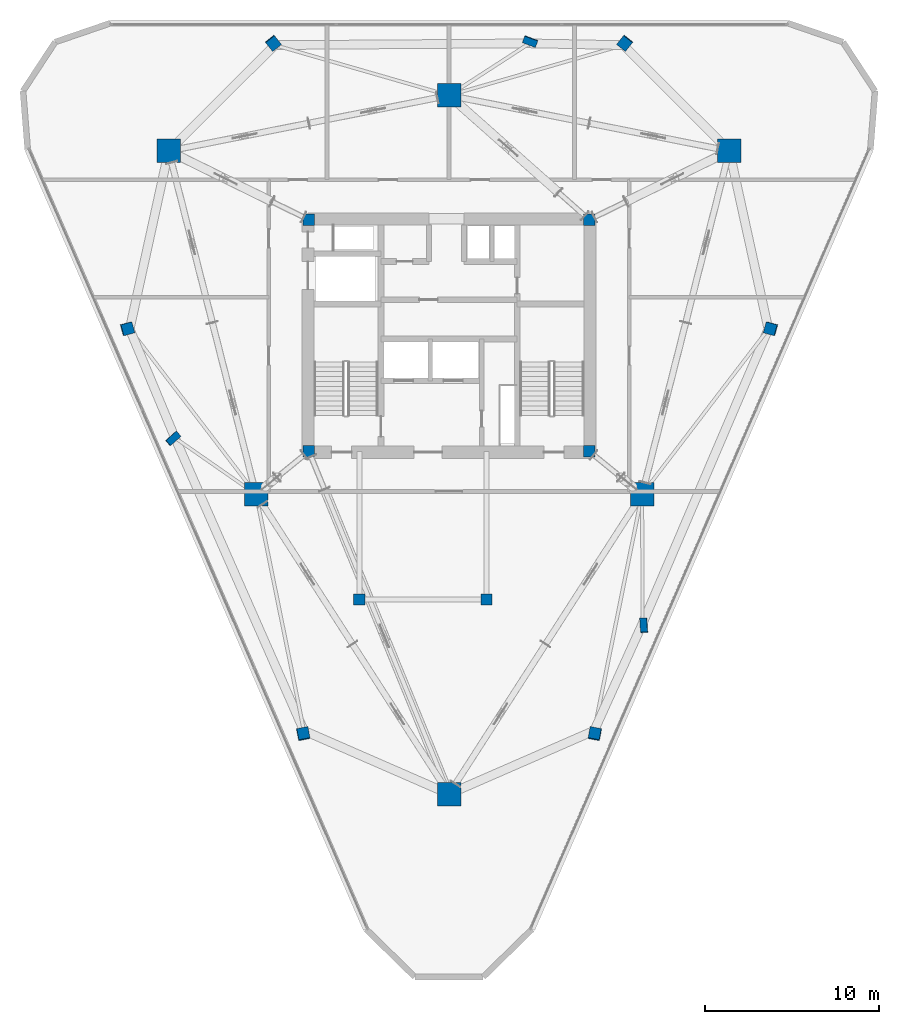
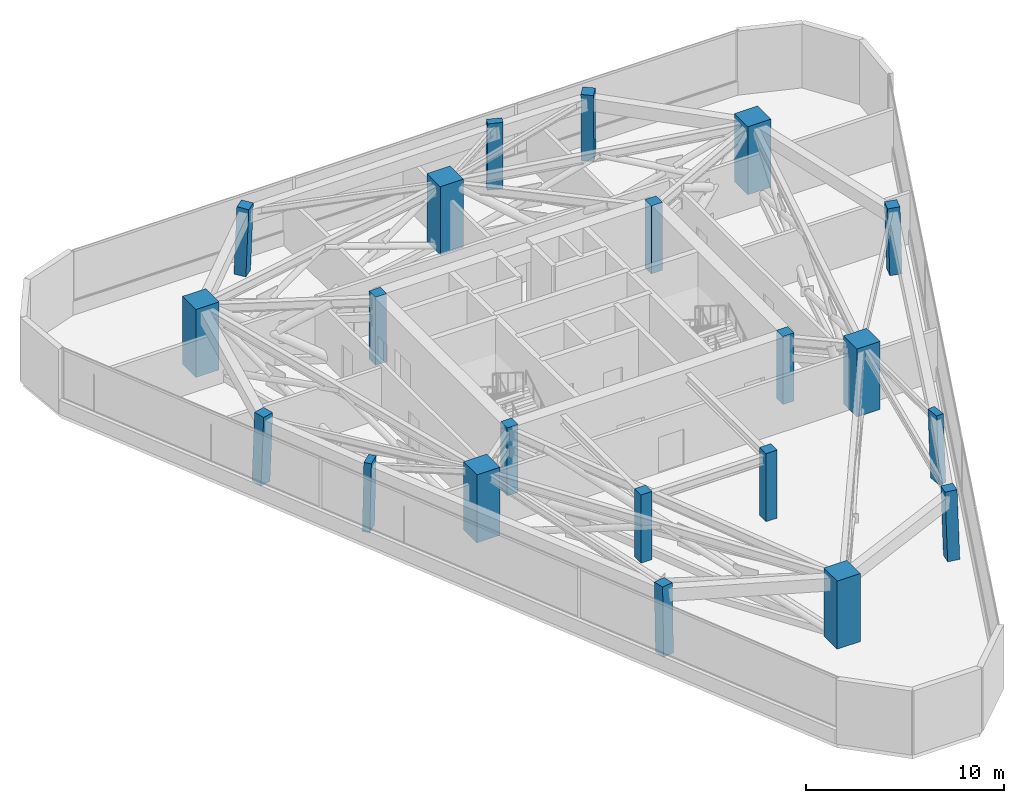
# One storey, part 1 of 12: 21 columns.
"""IFC4 building model written with IfcOpenShell, lengths in metres."""

from ifc_helpers import new_model, si_unit, direction, frame, origin, origin_2d, place, context, subcontext, project, spatial, rectangle, extrude, material, material_profile, profile_set, type_object, element, save


model = new_model("IFC4")

# Units and contexts
model_context = context("Model", 3, precision=1e-05, world=origin(), true_north=direction((0.0, 1.0)))
body_context = subcontext(model_context, "Body", "Model", "MODEL_VIEW")
ifc_project = project(units=[si_unit("LENGTHUNIT", "METRE"), si_unit("AREAUNIT", "SQUARE_METRE"), si_unit("VOLUMEUNIT", "CUBIC_METRE"), si_unit("PLANEANGLEUNIT", "RADIAN"), si_unit("MASSUNIT", "GRAM", prefix="KILO")], contexts=[model_context])

# Site, building, storey
site_placement = place(None, origin())
site = spatial("IfcSite", under=ifc_project, at=site_placement, CompositionType="ELEMENT")
building_placement = place(site_placement, origin())
building = spatial("IfcBuilding", under=site, at=building_placement, Name="Talyreon Biosciences Tower", CompositionType="ELEMENT")
storey_placement = place(building_placement, frame((0.0, 0.0, 227.39990234375)))
storey = spatial("IfcBuildingStorey", under=building, at=storey_placement, Name="L60", CompositionType="ELEMENT", Elevation=227.39990234375)

# Columns
ifc_material_1 = material(Name="Precast concrete C45/55", Category="concrete")
ifc_material_profile_1 = material_profile(ifc_material_1, rectangle(XDim=0.800048828125, YDim=0.39990234375, at=origin_2d()), Name="RC 800x400")
ifc_profile_set_1 = profile_set([ifc_material_profile_1], Name="Precast concrete C45/55")
column_type_1 = type_object("IfcColumnType", Name="FacadePilaster_800x400", PredefinedType="PILASTER", material=ifc_profile_set_1)
column_1_placement = place(storey_placement, frame((77.192138671875, 51.334716796875, 0.003173828125), z_axis=(-0.017044742667, 0.033333233953, 0.999298940389), x_axis=(0.062892262064, -0.997429235793, 0.034343601403)))
element("IfcColumn", 1, at=column_1_placement, inside=storey, type_object=column_type_1, Name="L60 Facade Pilaster PL-SE", PredefinedType="PILASTER", context=body_context, shape_type="SweptSolid", body=[
    extrude(rectangle(XDim=0.800048828125, YDim=0.39990234375, at=origin_2d()), origin(), (0.0, 0.0, 1.0), 4.19677734375),
])
column_2_placement = place(storey_placement, frame((70.664306640625, 84.901611328125, 0.003173828125), z_axis=(-0.010764387872, -0.029151126074, 0.999517053282), x_axis=(-0.9380871136, 0.346399433166, 0.0)))
element("IfcColumn", 2, at=column_2_placement, inside=storey, type_object=column_type_1, Name="L60 Facade Pilaster PL-N", PredefinedType="PILASTER", context=body_context, shape_type="SweptSolid", body=[
    extrude(rectangle(XDim=0.800048828125, YDim=0.39990234375, at=origin_2d()), origin(), (0.0, 0.0, 1.0), 4.19580078125),
])
column_3_placement = place(storey_placement, frame((50.1435546875, 62.082275390625, 0.003173828125), z_axis=(0.027814332176, 0.009252047732, 0.999570288943), x_axis=(0.744415420765, 0.667175108125, -0.026889708541)))
element("IfcColumn", 3, at=column_3_placement, inside=storey, type_object=column_type_1, Name="L60 Facade Pilaster PL-SW", PredefinedType="PILASTER", context=body_context, shape_type="SweptSolid", body=[
    extrude(rectangle(XDim=0.800048828125, YDim=0.39990234375, at=origin_2d()), origin(), (0.0, 0.0, 1.0), 4.195556640625),
])
ifc_material_2 = material(Name="Concrete C50/60", Category="concrete")
ifc_material_profile_2 = material_profile(ifc_material_2, rectangle(XDim=1.35009765625, YDim=1.35009765625, at=origin_2d()), Name="RC 1350x1350")
ifc_profile_set_2 = profile_set([ifc_material_profile_2], Name="Concrete C50/60")
column_type_2 = type_object("IfcColumnType", Name="MegaColumn_1350", PredefinedType="COLUMN", material=ifc_profile_set_2)
for number, where, z_axis, x_axis, name in (
    (4, (66.0, 41.6669921875, 0.0), (0.0, 0.0, 1.0), (1.0, 0.0, 0.0), "L60 Composite Mega-Column MC1"),
    (5, (82.102294921875, 78.5986328125, 0.0), (0.0, 0.0, 1.0), (1.0, 0.0, 0.0), "L60 Composite Mega-Column MC2"),
    (6, (49.897705078125, 78.5986328125, 0.0), (0.0, 0.0, 1.0), (1.0, 0.0, 0.0), "L60 Composite Mega-Column MC3"),
    (7, (77.086181640625, 58.88037109375, 0.0), (0.0, 0.0, 1.0), (1.0, 0.0, 0.0), "L60 Composite Mega-Column MC4"),
    (8, (66.0, 81.788818359375, 0.0), (0.0, 0.0, 1.0), (1.0, 0.0, 0.0), "L60 Composite Mega-Column MC5"),
    (9, (54.913818359375, 58.88037109375, 0.0), (0.0, 0.0, 1.0), (1.0, 0.0, 0.0), "L60 Composite Mega-Column MC6"),
):
    element("IfcColumn", number, at=place(storey_placement, frame(where, z_axis=z_axis, x_axis=x_axis)), inside=storey, type_object=column_type_2, Name=name, PredefinedType="COLUMN", context=body_context, shape_type="SweptSolid", body=[
        extrude(rectangle(XDim=1.35009765625, YDim=1.35009765625, at=origin_2d()), origin(), (0.0, 0.0, 1.0), 4.2001953125),
    ])
ifc_material_profile_3 = material_profile(ifc_material_2, rectangle(XDim=0.64990234375, YDim=0.64990234375, at=origin_2d()), Name="RC 650x650")
ifc_profile_set_3 = profile_set([ifc_material_profile_3], Name="Concrete C50/60")
column_type_3 = type_object("IfcColumnType", Name="PerimeterColumn_650", PredefinedType="COLUMN", material=ifc_profile_set_3)
for number, where, z_axis, x_axis, name in (
    (10, (57.949951171875, 61.35009765625, 0.0), (0.0, 0.0, 1.0), (1.0, 0.0, 0.0), "L60 Core Column CC1"),
    (11, (74.050048828125, 61.35009765625, 0.0), (0.0, 0.0, 1.0), (1.0, 0.0, 0.0), "L60 Core Column CC2"),
    (12, (74.050048828125, 74.64990234375, 0.0), (0.0, 0.0, 1.0), (1.0, 0.0, 0.0), "L60 Core Column CC3"),
    (13, (57.949951171875, 74.64990234375, 0.0), (0.0, 0.0, 1.0), (1.0, 0.0, 0.0), "L60 Core Column CC4"),
    (14, (60.85009765625, 52.840087890625, 0.0), (0.0, 0.0, 1.0), (1.0, 0.0, 0.0), "L60 Core Column CSW"),
    (15, (68.14990234375, 52.840087890625, 0.0), (0.0, 0.0, 1.0), (1.0, 0.0, 0.0), "L60 Core Column CSE"),
):
    element("IfcColumn", number, at=place(storey_placement, frame(where, z_axis=z_axis, x_axis=x_axis)), inside=storey, type_object=column_type_3, Name=name, PredefinedType="COLUMN", context=body_context, shape_type="SweptSolid", body=[
        extrude(rectangle(XDim=0.64990234375, YDim=0.64990234375, at=origin_2d()), origin(), (0.0, 0.0, 1.0), 4.2001953125),
    ])
column_4_placement = place(storey_placement, frame((74.379638671875, 45.105224609375, 0.003173828125), z_axis=(-0.010756866021, 0.047388355714, 0.998818618957), x_axis=(-0.185407903255, -0.981650038099, 0.044577035682)))
element("IfcColumn", 16, at=column_4_placement, inside=storey, type_object=column_type_3, Name="L60 Tapering Perimeter Column PC-SE1", PredefinedType="COLUMN", context=body_context, shape_type="SweptSolid", body=[
    extrude(rectangle(XDim=0.64990234375, YDim=0.64990234375, at=origin_2d()), origin(), (0.0, 0.0, 1.0), 4.19873046875),
])
column_5_placement = place(storey_placement, frame((84.485595703125, 68.3916015625, 0.003173828125), z_axis=(-0.034093161736, -0.004887074379, 0.999406710417), x_axis=(0.964007058955, -0.263992744095, 0.031594641171)))
element("IfcColumn", 17, at=column_5_placement, inside=storey, type_object=column_type_3, Name="L60 Tapering Perimeter Column PC-SE2", PredefinedType="COLUMN", context=body_context, shape_type="SweptSolid", body=[
    extrude(rectangle(XDim=0.64990234375, YDim=0.64990234375, at=origin_2d()), origin(), (0.0, 0.0, 1.0), 4.1962890625),
])
for number, where, z_axis, x_axis, name in (
    (18, (76.10595703125, 84.801513671875, 0.003173828125), (-0.023327540233, -0.029144881937, 0.999302957928), (-0.780716755404, 0.624885067698, 0.0), "L60 Tapering Perimeter Column PC-N1"),
    (19, (55.89404296875, 84.801513671875, 0.003173828125), (0.023327540233, -0.029144881937, 0.999302957928), (-0.780716755404, -0.624885067698, 0.0), "L60 Tapering Perimeter Column PC-N2"),
):
    element("IfcColumn", number, at=place(storey_placement, frame(where, z_axis=z_axis, x_axis=x_axis)), inside=storey, type_object=column_type_3, Name=name, PredefinedType="COLUMN", context=body_context, shape_type="SweptSolid", body=[
        extrude(rectangle(XDim=0.64990234375, YDim=0.64990234375, at=origin_2d()), origin(), (0.0, 0.0, 1.0), 4.19677734375),
    ])
column_6_placement = place(storey_placement, frame((47.514404296875, 68.3916015625, 0.003173828125), z_axis=(0.034093161736, -0.004887074379, 0.999406710417), x_axis=(0.964007058955, 0.263992744095, -0.031594641171)))
element("IfcColumn", 20, at=column_6_placement, inside=storey, type_object=column_type_3, Name="L60 Tapering Perimeter Column PC-SW1", PredefinedType="COLUMN", context=body_context, shape_type="SweptSolid", body=[
    extrude(rectangle(XDim=0.64990234375, YDim=0.64990234375, at=origin_2d()), origin(), (0.0, 0.0, 1.0), 4.1962890625),
])
column_7_placement = place(storey_placement, frame((57.620361328125, 45.105224609375, 0.003173828125), z_axis=(0.010756866021, 0.047388355714, 0.998818618957), x_axis=(-0.185407903255, 0.981650038099, -0.044577035682)))
element("IfcColumn", 21, at=column_7_placement, inside=storey, type_object=column_type_3, Name="L60 Tapering Perimeter Column PC-SW2", PredefinedType="COLUMN", context=body_context, shape_type="SweptSolid", body=[
    extrude(rectangle(XDim=0.64990234375, YDim=0.64990234375, at=origin_2d()), origin(), (0.0, 0.0, 1.0), 4.19873046875),
])

save(model, "model.ifc")
